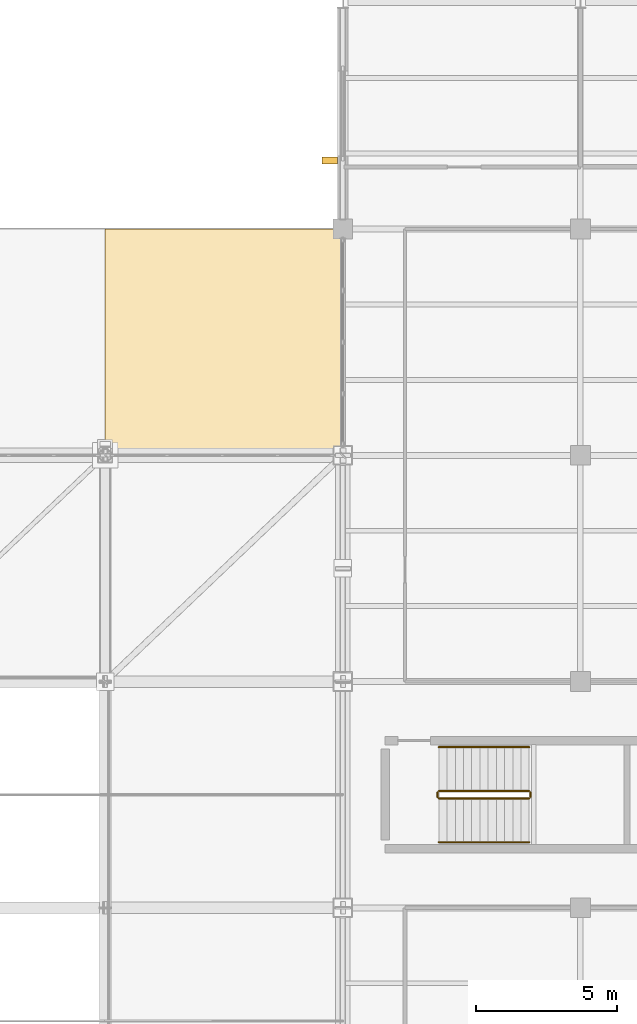
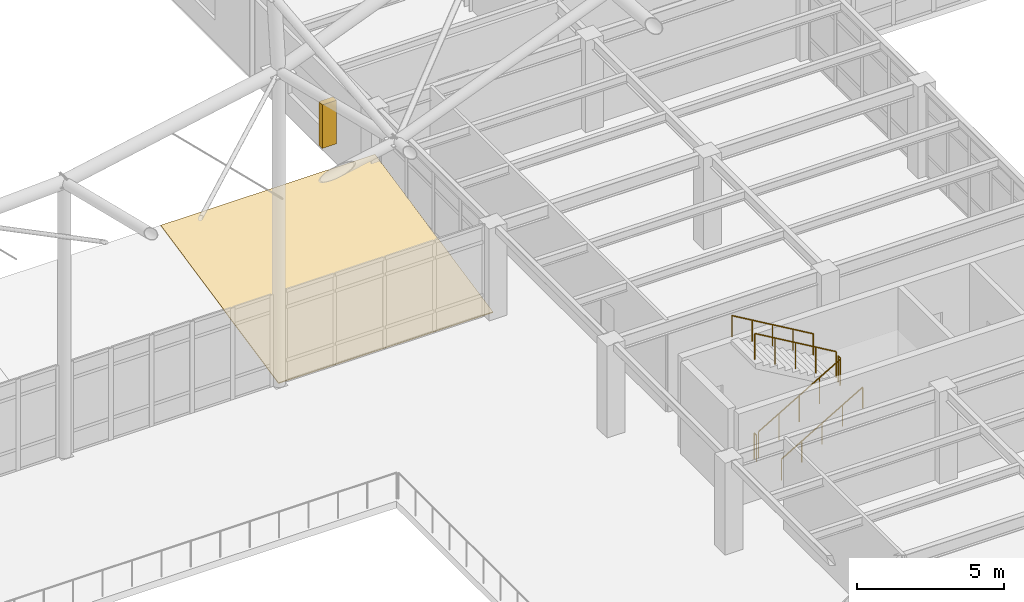
# One storey, part 135 of 138: 6 railings, 1 covering, 1 shading device.
"""IFC4 building model written with IfcOpenShell, lengths in metres."""

from ifc_helpers import new_model, si_unit, direction, frame, origin, origin_2d, place, context, subcontext, project, spatial, polyline, rectangle, circle, outline, extrude, material, layer, layer_set, type_object, element, save


model = new_model("IFC4")

# Units and contexts
model_context = context("Model", 3, precision=1e-05, world=origin(), true_north=direction((0.0, 1.0)))
body_context = subcontext(model_context, "Body", "Model", "MODEL_VIEW")
ifc_project = project(units=[si_unit("LENGTHUNIT", "METRE"), si_unit("AREAUNIT", "SQUARE_METRE"), si_unit("VOLUMEUNIT", "CUBIC_METRE"), si_unit("PLANEANGLEUNIT", "RADIAN"), si_unit("MASSUNIT", "GRAM", prefix="KILO")], contexts=[model_context])

# Site, building, storey
site_placement = place(None, origin())
site = spatial("IfcSite", under=ifc_project, at=site_placement, CompositionType="ELEMENT")
building_placement = place(site_placement, origin())
building = spatial("IfcBuilding", under=site, at=building_placement, Name="Kranzveld Transit Interchange", CompositionType="ELEMENT")
storey_placement = place(building_placement, frame((0.0, 0.0, 5.43994140625)))
storey = spatial("IfcBuildingStorey", under=building, at=storey_placement, Name="L01", CompositionType="ELEMENT", Elevation=5.43994140625)

# Shading device
ifc_material_1 = material(Name="Bronze-anodised thermally broken aluminium", Category="aluminium")
shading_device_type = type_object("IfcShadingDeviceType", Name="East-West Deep Clinker Solar Fin", PredefinedType="USERDEFINED", material=ifc_material_1)
shading_device_placement = place(storey_placement, frame((100.3349609375, 98.42138671875, 0.8251953125), z_axis=(0.0, 0.0, 1.0), x_axis=(0.0, 1.0, 0.0)))
element("IfcShadingDevice", 1, at=shading_device_placement, inside=storey, type_object=shading_device_type, Name="L01 Vertical Solar Fin 13/N", ObjectType="SOLAR FIN", PredefinedType="USERDEFINED", context=body_context, shape_type="SweptSolid", body=[
    extrude(rectangle(XDim=0.239990234375, YDim=0.550048828125, at=origin_2d()), origin(), (0.0, 0.0, 1.0), 1.800048828125),
])

# Railings
ifc_material_2 = material(Name="Steel S355JR", Category="steel")
railing_type_1 = type_object("IfcRailingType", Name="Stair & Ramp Handrail Steel 900", PredefinedType="HANDRAIL", material=ifc_material_2)
railing_1_placement = place(storey_placement, frame((104.199951171875, 74.320068359375, 0.170166015625)))
element("IfcRailing", 2, at=railing_1_placement, inside=storey, type_object=railing_type_1, Name="L01 ST-V4A stair handrail 1", PredefinedType="HANDRAIL", context=body_context, shape_type="SweptSolid", body=[
    extrude(circle(Radius=0.02392578125, at=origin_2d()), frame((0.0, 0.0, 0.8759765625), z_axis=(0.86270889649, 0.0, 0.505700860111), x_axis=(0.0, 1.0, 0.0)), (0.0, 0.0, 1.0), 3.697509765625),
    extrude(circle(Radius=0.02099609375, at=origin_2d()), origin(), (0.0, 0.0, 1.0), 0.849853515625),
    extrude(circle(Radius=0.02099609375, at=origin_2d()), frame((0.79736328125, 0.0, 0.467529296875)), (0.0, 0.0, 1.0), 0.849853515625),
    extrude(circle(Radius=0.02099609375, at=origin_2d()), frame((1.594970703125, 0.0, 0.93505859375)), (0.0, 0.0, 1.0), 0.849853515625),
    extrude(circle(Radius=0.02099609375, at=origin_2d()), frame((2.392578125, 0.0, 1.40234375)), (0.0, 0.0, 1.0), 0.849853515625),
    extrude(circle(Radius=0.02099609375, at=origin_2d()), frame((3.18994140625, 0.0, 1.869873046875)), (0.0, 0.0, 1.0), 0.849853515625),
])
railing_2_placement = place(storey_placement, frame((107.389892578125, 77.679931640625, 2.2099609375)))
element("IfcRailing", 3, at=railing_2_placement, inside=storey, type_object=railing_type_1, Name="L01 ST-V4A stair handrail 2", PredefinedType="HANDRAIL", context=body_context, shape_type="SweptSolid", body=[
    extrude(circle(Radius=0.02392578125, at=origin_2d()), frame((0.0, 0.0, 0.8759765625), z_axis=(-0.862680090275, 0.0, 0.50574999935), x_axis=(0.0, -1.0, 0.0)), (0.0, 0.0, 1.0), 3.69775390625),
    extrude(circle(Radius=0.02099609375, at=origin_2d()), origin(), (0.0, 0.0, 1.0), 0.849853515625),
    extrude(circle(Radius=0.02099609375, at=origin_2d()), frame((-0.79736328125, 0.0, 0.467529296875)), (0.0, 0.0, 1.0), 0.849853515625),
    extrude(circle(Radius=0.02099609375, at=origin_2d()), frame((-1.594970703125, 0.0, 0.93505859375)), (0.0, 0.0, 1.0), 0.849853515625),
    extrude(circle(Radius=0.02099609375, at=origin_2d()), frame((-2.392578125, 0.0, 1.402587890625)), (0.0, 0.0, 1.0), 0.849853515625),
    extrude(circle(Radius=0.02099609375, at=origin_2d()), frame((-3.18994140625, 0.0, 1.8701171875)), (0.0, 0.0, 1.0), 0.849853515625),
])
ifc_material_3 = material(Name="Steel S355JR", Category="steel")
railing_type_2 = type_object("IfcRailingType", Name="Stair Well Guardrail Steel 1100", PredefinedType="GUARDRAIL", material=ifc_material_3)
railing_3_placement = place(storey_placement, frame((104.199951171875, 75.8701171875, 0.170166015625)))
element("IfcRailing", 4, at=railing_3_placement, inside=storey, type_object=railing_type_2, Name="L01 ST-V4A stair guard 1", PredefinedType="GUARDRAIL", context=body_context, shape_type="SweptSolid", body=[
    extrude(circle(Radius=0.02392578125, at=origin_2d()), frame((0.0, 0.0, 1.076171875), z_axis=(0.86270889649, 0.0, 0.505700860111), x_axis=(0.0, 1.0, 0.0)), (0.0, 0.0, 1.0), 3.697509765625),
    extrude(circle(Radius=0.02099609375, at=origin_2d()), origin(), (0.0, 0.0, 1.0), 1.050048828125),
    extrude(circle(Radius=0.02099609375, at=origin_2d()), frame((0.79736328125, 0.0, 0.467529296875)), (0.0, 0.0, 1.0), 1.050048828125),
    extrude(circle(Radius=0.02099609375, at=origin_2d()), frame((1.594970703125, 0.0, 0.93505859375)), (0.0, 0.0, 1.0), 1.050048828125),
    extrude(circle(Radius=0.02099609375, at=origin_2d()), frame((2.392578125, 0.0, 1.40234375)), (0.0, 0.0, 1.0), 1.050048828125),
    extrude(circle(Radius=0.02099609375, at=origin_2d()), frame((3.18994140625, 0.0, 1.869873046875)), (0.0, 0.0, 1.0), 1.050048828125),
])
railing_4_placement = place(storey_placement, frame((107.43994140625, 75.919921875, 2.0400390625)))
element("IfcRailing", 5, at=railing_4_placement, inside=storey, type_object=railing_type_2, Name="L01 ST-V4A stair guard 2", PredefinedType="GUARDRAIL", context=body_context, shape_type="SweptSolid", body=[
    extrude(circle(Radius=0.02392578125, at=origin_2d()), frame((0.0, 0.0, 1.076171875), z_axis=(0.0, 1.0, 0.0), x_axis=(-1.0, 0.0, 0.0)), (0.0, 0.0, 1.0), 0.16015625),
    extrude(circle(Radius=0.02099609375, at=origin_2d()), origin(), (0.0, 0.0, 1.0), 1.050048828125),
    extrude(circle(Radius=0.02099609375, at=origin_2d()), frame((0.0, 0.16015625, 0.0)), (0.0, 0.0, 1.0), 1.050048828125),
])
railing_5_placement = place(storey_placement, frame((107.389892578125, 76.1298828125, 2.2099609375)))
element("IfcRailing", 6, at=railing_5_placement, inside=storey, type_object=railing_type_2, Name="L01 ST-V4A stair guard 3", PredefinedType="GUARDRAIL", context=body_context, shape_type="SweptSolid", body=[
    extrude(circle(Radius=0.02392578125, at=origin_2d()), frame((0.0, 0.0, 1.076171875), z_axis=(-0.862680090275, 0.0, 0.50574999935), x_axis=(0.0, -1.0, 0.0)), (0.0, 0.0, 1.0), 3.69775390625),
    extrude(circle(Radius=0.02099609375, at=origin_2d()), origin(), (0.0, 0.0, 1.0), 1.050048828125),
    extrude(circle(Radius=0.02099609375, at=origin_2d()), frame((-0.79736328125, 0.0, 0.467529296875)), (0.0, 0.0, 1.0), 1.050048828125),
    extrude(circle(Radius=0.02099609375, at=origin_2d()), frame((-1.594970703125, 0.0, 0.93505859375)), (0.0, 0.0, 1.0), 1.050048828125),
    extrude(circle(Radius=0.02099609375, at=origin_2d()), frame((-2.392578125, 0.0, 1.402587890625)), (0.0, 0.0, 1.0), 1.050048828125),
    extrude(circle(Radius=0.02099609375, at=origin_2d()), frame((-3.18994140625, 0.0, 1.8701171875)), (0.0, 0.0, 1.0), 1.050048828125),
])
railing_6_placement = place(storey_placement, frame((104.14990234375, 75.919921875, 0.0)))
element("IfcRailing", 7, at=railing_6_placement, inside=storey, type_object=railing_type_2, Name="L01 ST-V4A stair guard 4", PredefinedType="GUARDRAIL", context=body_context, shape_type="SweptSolid", body=[
    extrude(circle(Radius=0.02392578125, at=origin_2d()), frame((0.0, 0.0, 1.076171875), z_axis=(0.0, 1.0, 0.0), x_axis=(-1.0, 0.0, 0.0)), (0.0, 0.0, 1.0), 0.16015625),
    extrude(circle(Radius=0.02099609375, at=origin_2d()), origin(), (0.0, 0.0, 1.0), 1.050048828125),
    extrude(circle(Radius=0.02099609375, at=origin_2d()), frame((0.0, 0.16015625, 0.0)), (0.0, 0.0, 1.0), 1.050048828125),
])

# Covering
ifc_material_4 = material(Name="Standing-seam titanium-zinc roof sheeting", Category="steel")
ifc_layer = layer(ifc_material_4, 0.0400390625)
ifc_layer_set = layer_set([ifc_layer], Name="Standing-seam titanium-zinc roof sheeting")
covering_type = type_object("IfcCoveringType", Name="Standing-Seam Titanium-Zinc Roof Covering 40", PredefinedType="ROOFING", material=ifc_layer_set)
covering_placement = place(storey_placement, frame((92.39990234375, 88.0, 0.0400390625), z_axis=(0.0, -0.205509224959, 0.978655178527), x_axis=(1.0, 0.0, 0.0)))
element("IfcCovering", 8, at=covering_placement, inside=storey, type_object=covering_type, Name="Standing-Seam Zinc Roof Sheet 34", PredefinedType="ROOFING", context=body_context, shape_type="SweptSolid", body=[
    extrude(outline(polyline([(0.0, 0.0), (8.400146484375, 0.0), (8.400146484375, 8.174482877661008), (0.0, 8.174482877661008), (0.0, 0.0)])), origin(), (0.0, 0.0, -1.0), 0.0400390625),
])

save(model, "model.ifc")
